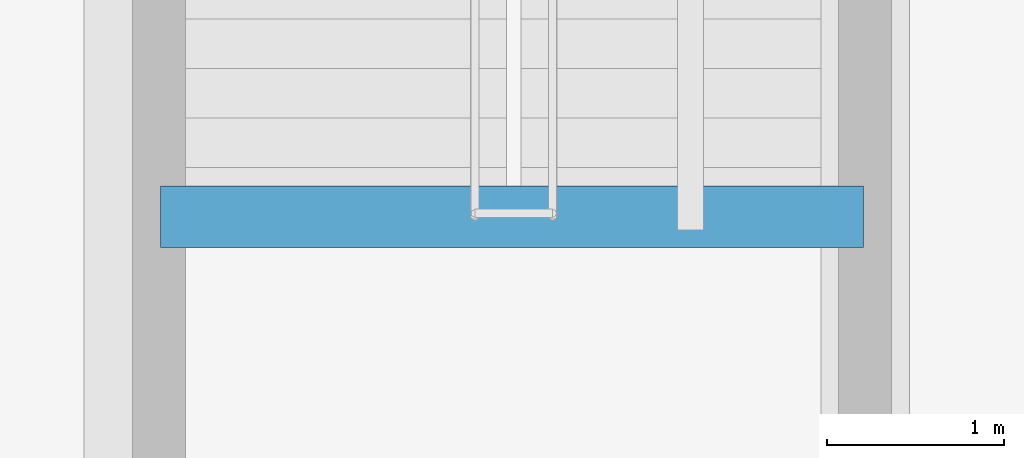
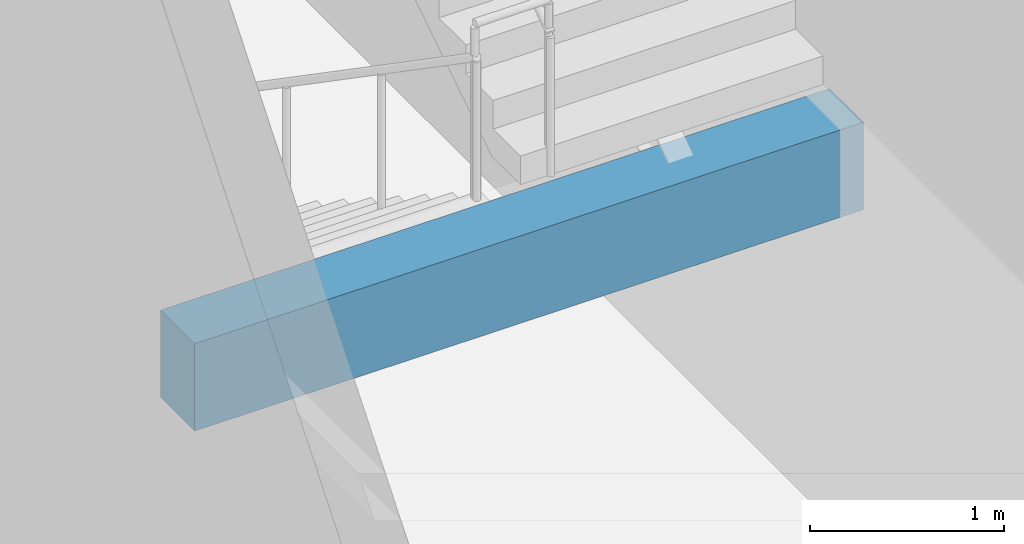
# One storey, part 47 of 109: 1 beam.
"""IFC4 building model written with IfcOpenShell, lengths in metres."""

from ifc_helpers import new_model, si_unit, direction, frame, origin, origin_2d, place, context, subcontext, project, spatial, rectangle, extrude, material, material_profile, profile_set, type_object, element, save


model = new_model("IFC4")

# Units and contexts
model_context = context("Model", 3, precision=1e-05, world=origin(), true_north=direction((0.0, 1.0)))
body_context = subcontext(model_context, "Body", "Model", "MODEL_VIEW")
ifc_project = project(units=[si_unit("LENGTHUNIT", "METRE"), si_unit("AREAUNIT", "SQUARE_METRE"), si_unit("VOLUMEUNIT", "CUBIC_METRE"), si_unit("PLANEANGLEUNIT", "RADIAN"), si_unit("MASSUNIT", "GRAM", prefix="KILO")], contexts=[model_context])

# Site, building, storey
site_placement = place(None, origin())
site = spatial("IfcSite", under=ifc_project, at=site_placement, CompositionType="ELEMENT")
building_placement = place(site_placement, origin())
building = spatial("IfcBuilding", under=site, at=building_placement, Name="Lusvemor Sports Hall", CompositionType="ELEMENT")
storey_placement = place(building_placement, origin())
storey = spatial("IfcBuildingStorey", under=building, at=storey_placement, Name="L00", CompositionType="ELEMENT", Elevation=0.0)

# Beam
ifc_material = material(Name="Concrete C40/50", Category="concrete")
ifc_material_profile = material_profile(ifc_material, rectangle(XDim=0.35009765625, YDim=0.550048828125, at=origin_2d()), Name="RC350x550")
ifc_profile_set = profile_set([ifc_material_profile], Name="Concrete C40/50")
beam_type = type_object("IfcBeamType", Name="BEAM_RC_550", PredefinedType="BEAM", material=ifc_profile_set)
beam_placement = place(storey_placement, frame((54.159912109375, 108.929931640625, 2.2451171875), z_axis=(1.0, 0.0, 0.0), x_axis=(0.0, 1.0, 0.0)))
element("IfcBeam", 1, at=beam_placement, inside=storey, type_object=beam_type, Name="Stair STR-C2-L00 Mid-Landing Beam", PredefinedType="BEAM", context=body_context, shape_type="SweptSolid", body=[
    extrude(rectangle(XDim=0.35009765625, YDim=0.550048828125, at=origin_2d()), origin(), (0.0, 0.0, 1.0), 3.97998046875),
])

save(model, "model.ifc")
